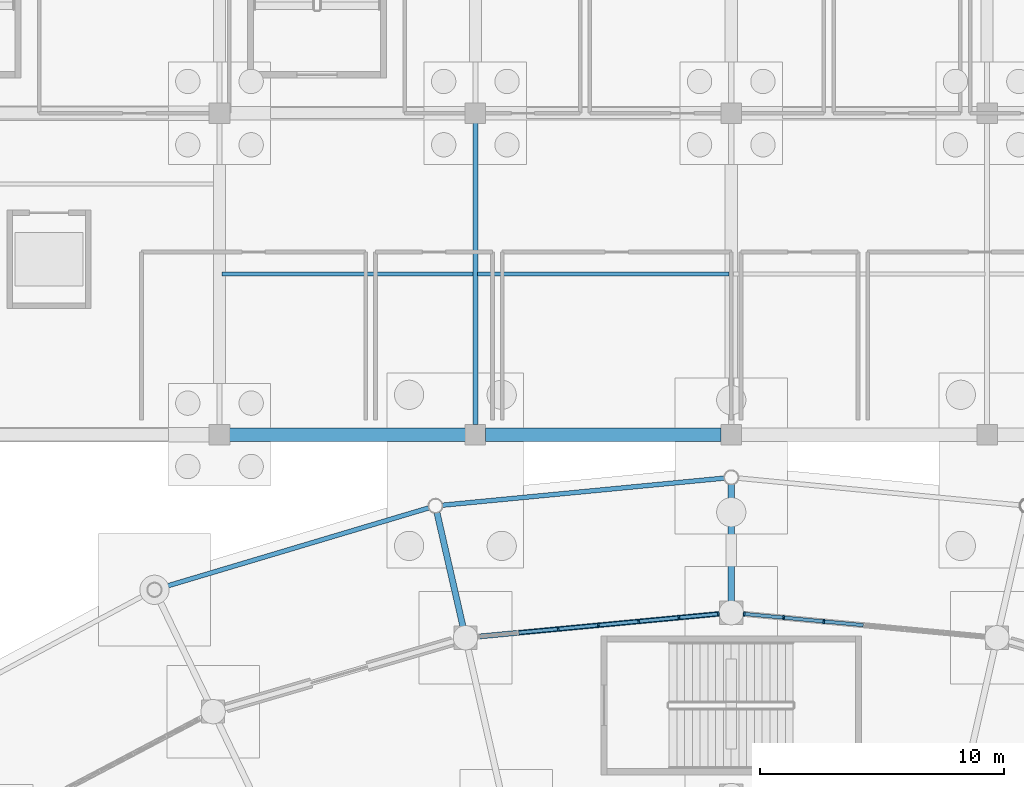
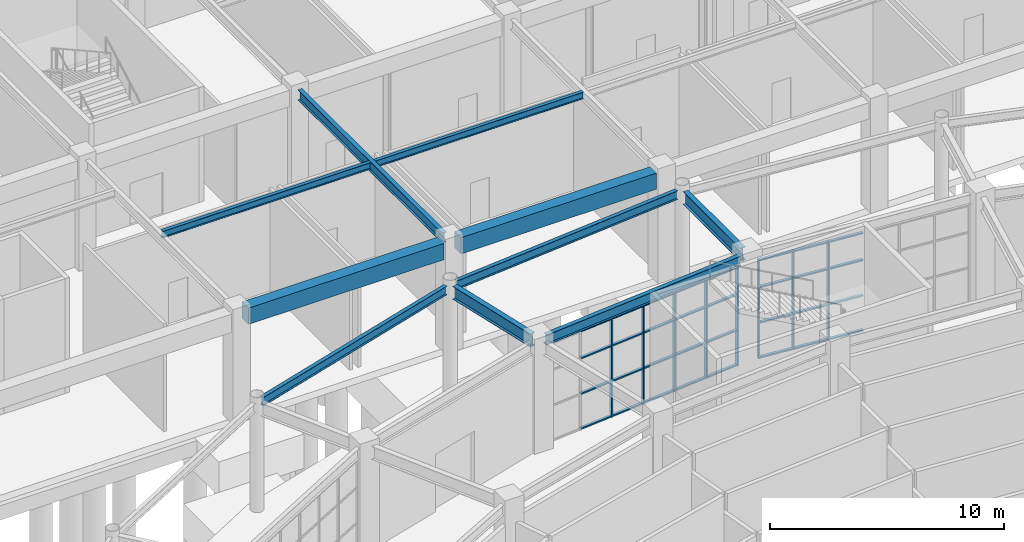
# One storey, part 48 of 121: 40 members, 10 beams, 2 elements without a shape of their own.
"""IFC4 building model written with IfcOpenShell, lengths in metres."""

from ifc_helpers import new_model, si_unit, direction, frame, origin, origin_2d, place, context, subcontext, project, spatial, rectangle, i_section, extrude, material, material_profile, profile_set, type_object, element, aggregate, save


model = new_model("IFC4")

# Units and contexts
model_context = context("Model", 3, precision=1e-05, world=origin(), true_north=direction((0.0, 1.0)))
body_context = subcontext(model_context, "Body", "Model", "MODEL_VIEW")
ifc_project = project(units=[si_unit("LENGTHUNIT", "METRE"), si_unit("AREAUNIT", "SQUARE_METRE"), si_unit("VOLUMEUNIT", "CUBIC_METRE"), si_unit("PLANEANGLEUNIT", "RADIAN"), si_unit("MASSUNIT", "GRAM", prefix="KILO")], contexts=[model_context])

# Site, building, storey
site_placement = place(None, origin())
site = spatial("IfcSite", under=ifc_project, at=site_placement, CompositionType="ELEMENT")
building_placement = place(site_placement, origin())
building = spatial("IfcBuilding", under=site, at=building_placement, Name="Cuetzalor Civic Arena", CompositionType="ELEMENT")
storey_placement = place(building_placement, origin())
storey = spatial("IfcBuildingStorey", under=building, at=storey_placement, Name="L00", CompositionType="ELEMENT", Elevation=0.0)

# Beams
ifc_material_1 = material(Name="Concrete C40/50", Category="concrete")
ifc_material_profile_1 = material_profile(ifc_material_1, rectangle(XDim=0.550048828125, YDim=0.85009765625, at=origin_2d()), Name="RC 550x850")
ifc_profile_set_1 = profile_set([ifc_material_profile_1], Name="Concrete C40/50")
beam_type_1 = type_object("IfcBeamType", Name="ConcreteFrameBeam_550x850", PredefinedType="BEAM", material=ifc_profile_set_1)
for number, where, z_axis, x_axis, name in (
    (1, (-20.5849609375, 48.300048828125, 5.27490234375), (1.0, 0.0, 0.0), (0.0, 1.0, 0.0), "Frame Girder V5-L00-X0224"),
    (2, (-10.0849609375, 48.300048828125, 5.27490234375), (1.0, 0.0, 0.0), (0.0, 1.0, 0.0), "Frame Girder V5-L00-X0225"),
):
    element("IfcBeam", number, at=place(storey_placement, frame(where, z_axis=z_axis, x_axis=x_axis)), inside=storey, type_object=beam_type_1, Name=name, PredefinedType="BEAM", context=body_context, shape_type="SweptSolid", body=[
        extrude(rectangle(XDim=0.550048828125, YDim=0.85009765625, at=origin_2d()), origin(), (0.0, 0.0, 1.0), 9.669921875),
    ])

# Curtain wall, members
ifc_material_2 = material(Name="Anodised dark bronze aluminium and low-E solar glass", Category="aluminium")
curtain_wall_type = type_object("IfcCurtainWallType", Name="UnitisedCW_9950x5150", PredefinedType="USERDEFINED", material=ifc_material_2)
curtain_wall_1_placement = place(storey_placement, origin())
curtain_wall_1 = element("IfcCurtainWall", 3, at=curtain_wall_1_placement, inside=storey, type_object=curtain_wall_type, Name="Drum Ground Recessed Concourse Curtain Wall L00-005", ObjectType="UNITISED CURTAIN WALL", PredefinedType="USERDEFINED")
ifc_material_3 = material(Name="Anodised dark bronze aluminium", Category="aluminium")
ifc_material_profile_2 = material_profile(ifc_material_3, rectangle(XDim=0.070068359375, YDim=0.179931640625, at=origin_2d()), Name="ALU MULLION 70x180")
ifc_profile_set_2 = profile_set([ifc_material_profile_2], Name="Anodised dark bronze aluminium")
member_type_1 = type_object("IfcMemberType", Name="CurtainWallMullion_65x180", PredefinedType="MULLION", material=ifc_profile_set_2)
member_1_placement = place(storey_placement, frame((0.5322265625, 40.94970703125, 0.0), z_axis=(0.0, 0.0, 1.0), x_axis=(0.995585155665, -0.093862654023, 0.0)))
member_1 = element("IfcMember", 4, at=member_1_placement, type_object=member_type_1, Name="CW-05 mullion 1", PredefinedType="MULLION", context=body_context, shape_type="SweptSolid", body=[
    extrude(rectangle(XDim=0.070068359375, YDim=0.179931640625, at=origin_2d()), origin(), (0.0, 0.0, 1.0), 5.156982421875),
])
member_2_placement = place(storey_placement, frame((2.148681640625, 40.79736328125, 0.0), z_axis=(0.0, 0.0, 1.0), x_axis=(0.995585155665, -0.093862654023, 0.0)))
member_2 = element("IfcMember", 5, at=member_2_placement, type_object=member_type_1, Name="CW-05 mullion 2", PredefinedType="MULLION", context=body_context, shape_type="SweptSolid", body=[
    extrude(rectangle(XDim=0.070068359375, YDim=0.179931640625, at=origin_2d()), origin(), (0.0, 0.0, 1.0), 5.156982421875),
])
member_3_placement = place(storey_placement, frame((3.80029296875, 40.6416015625, 0.0), z_axis=(0.0, 0.0, 1.0), x_axis=(0.995585155665, -0.093862654023, 0.0)))
member_3 = element("IfcMember", 6, at=member_3_placement, type_object=member_type_1, Name="CW-05 mullion 3", PredefinedType="MULLION", context=body_context, shape_type="SweptSolid", body=[
    extrude(rectangle(XDim=0.070068359375, YDim=0.179931640625, at=origin_2d()), origin(), (0.0, 0.0, 1.0), 5.156982421875),
])

curtain_wall_2_placement = place(storey_placement, origin())
curtain_wall_2 = element("IfcCurtainWall", 7, at=curtain_wall_2_placement, inside=storey, type_object=curtain_wall_type, Name="Drum Ground Recessed Concourse Curtain Wall L00-006", ObjectType="UNITISED CURTAIN WALL", PredefinedType="USERDEFINED")
member_4_placement = place(storey_placement, frame((-7.103271484375, 40.330322265625, 0.0), z_axis=(0.0, 0.0, 1.0), x_axis=(0.995585155665, 0.093862654023, 0.0)))
member_4 = element("IfcMember", 8, at=member_4_placement, type_object=member_type_1, Name="CW-05 mullion 3", PredefinedType="MULLION", context=body_context, shape_type="SweptSolid", body=[
    extrude(rectangle(XDim=0.070068359375, YDim=0.179931640625, at=origin_2d()), origin(), (0.0, 0.0, 1.0), 5.156982421875),
])
member_5_placement = place(storey_placement, frame((-5.45166015625, 40.486083984375, 0.0), z_axis=(0.0, 0.0, 1.0), x_axis=(0.995585155665, 0.093862654023, 0.0)))
member_5 = element("IfcMember", 9, at=member_5_placement, type_object=member_type_1, Name="CW-05 mullion 4", PredefinedType="MULLION", context=body_context, shape_type="SweptSolid", body=[
    extrude(rectangle(XDim=0.070068359375, YDim=0.179931640625, at=origin_2d()), origin(), (0.0, 0.0, 1.0), 5.156982421875),
])
member_6_placement = place(storey_placement, frame((-3.80029296875, 40.6416015625, 0.0), z_axis=(0.0, 0.0, 1.0), x_axis=(0.995585155665, 0.093862654023, 0.0)))
member_6 = element("IfcMember", 10, at=member_6_placement, type_object=member_type_1, Name="CW-05 mullion 5", PredefinedType="MULLION", context=body_context, shape_type="SweptSolid", body=[
    extrude(rectangle(XDim=0.070068359375, YDim=0.179931640625, at=origin_2d()), origin(), (0.0, 0.0, 1.0), 5.156982421875),
])
member_7_placement = place(storey_placement, frame((-2.148681640625, 40.79736328125, 0.0), z_axis=(0.0, 0.0, 1.0), x_axis=(0.995585155665, 0.093862654023, 0.0)))
member_7 = element("IfcMember", 11, at=member_7_placement, type_object=member_type_1, Name="CW-05 mullion 6", PredefinedType="MULLION", context=body_context, shape_type="SweptSolid", body=[
    extrude(rectangle(XDim=0.070068359375, YDim=0.179931640625, at=origin_2d()), origin(), (0.0, 0.0, 1.0), 5.156982421875),
])
member_8_placement = place(storey_placement, frame((-0.5322265625, 40.94970703125, 0.0), z_axis=(0.0, 0.0, 1.0), x_axis=(0.995585155665, 0.093862654023, 0.0)))
member_8 = element("IfcMember", 12, at=member_8_placement, type_object=member_type_1, Name="CW-05 mullion 7", PredefinedType="MULLION", context=body_context, shape_type="SweptSolid", body=[
    extrude(rectangle(XDim=0.070068359375, YDim=0.179931640625, at=origin_2d()), origin(), (0.0, 0.0, 1.0), 5.156982421875),
])

# Member
ifc_material_4 = material(Name="Anodised dark bronze aluminium", Category="aluminium")
ifc_material_profile_3 = material_profile(ifc_material_4, rectangle(XDim=0.139892578125, YDim=0.070068359375, at=origin_2d()), Name="ALU TRANSOM 70x140")
ifc_profile_set_3 = profile_set([ifc_material_profile_3], Name="Anodised dark bronze aluminium")
member_type_2 = type_object("IfcMemberType", Name="CurtainWallTransom_65x140", PredefinedType="USERDEFINED", material=ifc_profile_set_3)
member_9_placement = place(storey_placement, frame((0.56689453125, 40.946533203125, 0.034912109375), z_axis=(0.995591690404, -0.093793315318, 0.0), x_axis=(0.093793315318, 0.995591690404, 0.0)))
member_9 = element("IfcMember", 13, at=member_9_placement, type_object=member_type_2, Name="CW-05 transom 1.1", ObjectType="TRANSOM", PredefinedType="USERDEFINED", context=body_context, shape_type="SweptSolid", body=[
    extrude(rectangle(XDim=0.139892578125, YDim=0.070068359375, at=origin_2d()), origin(), (0.0, 0.0, 1.0), 1.553955078125),
])

member_10_placement = place(storey_placement, frame((0.56689453125, 40.946533203125, 1.85693359375), z_axis=(0.995591690404, -0.093793315318, 0.0), x_axis=(0.093793315318, 0.995591690404, 0.0)))
member_10 = element("IfcMember", 14, at=member_10_placement, type_object=member_type_2, Name="CW-05 transom 1.2", ObjectType="TRANSOM", PredefinedType="USERDEFINED", context=body_context, shape_type="SweptSolid", body=[
    extrude(rectangle(XDim=0.139892578125, YDim=0.070068359375, at=origin_2d()), origin(), (0.0, 0.0, 1.0), 1.553955078125),
])

member_11_placement = place(storey_placement, frame((0.56689453125, 40.946533203125, 3.712890625), z_axis=(0.995591690404, -0.093793315318, 0.0), x_axis=(0.093793315318, 0.995591690404, 0.0)))
member_11 = element("IfcMember", 15, at=member_11_placement, type_object=member_type_2, Name="CW-05 transom 1.3", ObjectType="TRANSOM", PredefinedType="USERDEFINED", context=body_context, shape_type="SweptSolid", body=[
    extrude(rectangle(XDim=0.139892578125, YDim=0.070068359375, at=origin_2d()), origin(), (0.0, 0.0, 1.0), 1.553955078125),
])

member_12_placement = place(storey_placement, frame((0.56689453125, 40.946533203125, 5.1220703125), z_axis=(0.995591690404, -0.093793315318, 0.0), x_axis=(0.093793315318, 0.995591690404, 0.0)))
member_12 = element("IfcMember", 16, at=member_12_placement, type_object=member_type_2, Name="CW-05 transom 1.4", ObjectType="TRANSOM", PredefinedType="USERDEFINED", context=body_context, shape_type="SweptSolid", body=[
    extrude(rectangle(XDim=0.139892578125, YDim=0.070068359375, at=origin_2d()), origin(), (0.0, 0.0, 1.0), 1.553955078125),
])

member_13_placement = place(storey_placement, frame((2.18359375, 40.794189453125, 0.034912109375), z_axis=(0.995582755392, -0.093888109823, 0.0), x_axis=(0.093888109823, 0.995582755392, 0.0)))
member_13 = element("IfcMember", 17, at=member_13_placement, type_object=member_type_2, Name="CW-05 transom 2.1", ObjectType="TRANSOM", PredefinedType="USERDEFINED", context=body_context, shape_type="SweptSolid", body=[
    extrude(rectangle(XDim=0.139892578125, YDim=0.070068359375, at=origin_2d()), origin(), (0.0, 0.0, 1.0), 1.5888671875),
])

member_14_placement = place(storey_placement, frame((2.18359375, 40.794189453125, 1.85693359375), z_axis=(0.995582755392, -0.093888109823, 0.0), x_axis=(0.093888109823, 0.995582755392, 0.0)))
member_14 = element("IfcMember", 18, at=member_14_placement, type_object=member_type_2, Name="CW-05 transom 2.2", ObjectType="TRANSOM", PredefinedType="USERDEFINED", context=body_context, shape_type="SweptSolid", body=[
    extrude(rectangle(XDim=0.139892578125, YDim=0.070068359375, at=origin_2d()), origin(), (0.0, 0.0, 1.0), 1.5888671875),
])

member_15_placement = place(storey_placement, frame((2.18359375, 40.794189453125, 3.712890625), z_axis=(0.995582755392, -0.093888109823, 0.0), x_axis=(0.093888109823, 0.995582755392, 0.0)))
member_15 = element("IfcMember", 19, at=member_15_placement, type_object=member_type_2, Name="CW-05 transom 2.3", ObjectType="TRANSOM", PredefinedType="USERDEFINED", context=body_context, shape_type="SweptSolid", body=[
    extrude(rectangle(XDim=0.139892578125, YDim=0.070068359375, at=origin_2d()), origin(), (0.0, 0.0, 1.0), 1.5888671875),
])

member_16_placement = place(storey_placement, frame((2.18359375, 40.794189453125, 5.1220703125), z_axis=(0.995582755392, -0.093888109823, 0.0), x_axis=(0.093888109823, 0.995582755392, 0.0)))
member_16 = element("IfcMember", 20, at=member_16_placement, type_object=member_type_2, Name="CW-05 transom 2.4", ObjectType="TRANSOM", PredefinedType="USERDEFINED", context=body_context, shape_type="SweptSolid", body=[
    extrude(rectangle(XDim=0.139892578125, YDim=0.070068359375, at=origin_2d()), origin(), (0.0, 0.0, 1.0), 1.5888671875),
])

member_17_placement = place(storey_placement, frame((3.835205078125, 40.638427734375, 0.034912109375), z_axis=(0.995582755392, -0.093888109823, 0.0), x_axis=(0.093888109823, 0.995582755392, 0.0)))
member_17 = element("IfcMember", 21, at=member_17_placement, type_object=member_type_2, Name="CW-05 transom 3.1", ObjectType="TRANSOM", PredefinedType="USERDEFINED", context=body_context, shape_type="SweptSolid", body=[
    extrude(rectangle(XDim=0.139892578125, YDim=0.070068359375, at=origin_2d()), origin(), (0.0, 0.0, 1.0), 1.5888671875),
])

member_18_placement = place(storey_placement, frame((3.835205078125, 40.638427734375, 1.85693359375), z_axis=(0.995582755392, -0.093888109823, 0.0), x_axis=(0.093888109823, 0.995582755392, 0.0)))
member_18 = element("IfcMember", 22, at=member_18_placement, type_object=member_type_2, Name="CW-05 transom 3.2", ObjectType="TRANSOM", PredefinedType="USERDEFINED", context=body_context, shape_type="SweptSolid", body=[
    extrude(rectangle(XDim=0.139892578125, YDim=0.070068359375, at=origin_2d()), origin(), (0.0, 0.0, 1.0), 1.5888671875),
])

member_19_placement = place(storey_placement, frame((3.835205078125, 40.638427734375, 3.712890625), z_axis=(0.995582755392, -0.093888109823, 0.0), x_axis=(0.093888109823, 0.995582755392, 0.0)))
member_19 = element("IfcMember", 23, at=member_19_placement, type_object=member_type_2, Name="CW-05 transom 3.3", ObjectType="TRANSOM", PredefinedType="USERDEFINED", context=body_context, shape_type="SweptSolid", body=[
    extrude(rectangle(XDim=0.139892578125, YDim=0.070068359375, at=origin_2d()), origin(), (0.0, 0.0, 1.0), 1.5888671875),
])

member_20_placement = place(storey_placement, frame((3.835205078125, 40.638427734375, 5.1220703125), z_axis=(0.995582755392, -0.093888109823, 0.0), x_axis=(0.093888109823, 0.995582755392, 0.0)))
member_20 = element("IfcMember", 24, at=member_20_placement, type_object=member_type_2, Name="CW-05 transom 3.4", ObjectType="TRANSOM", PredefinedType="USERDEFINED", context=body_context, shape_type="SweptSolid", body=[
    extrude(rectangle(XDim=0.139892578125, YDim=0.070068359375, at=origin_2d()), origin(), (0.0, 0.0, 1.0), 1.5888671875),
])

aggregate(curtain_wall_1, [member_1, member_2, member_3, member_9, member_10, member_11, member_12, member_13, member_14, member_15, member_16, member_17, member_18, member_19, member_20])

member_21_placement = place(storey_placement, frame((-8.719970703125, 40.177978515625, 0.034912109375), z_axis=(0.995597107351, 0.093735798037, 0.0), x_axis=(-0.093735798037, 0.995597107351, 0.0)))
member_21 = element("IfcMember", 25, at=member_21_placement, type_object=member_type_2, Name="CW-05 transom 2.1", ObjectType="TRANSOM", PredefinedType="USERDEFINED", context=body_context, shape_type="SweptSolid", body=[
    extrude(rectangle(XDim=0.139892578125, YDim=0.070068359375, at=origin_2d()), origin(), (0.0, 0.0, 1.0), 1.5888671875),
])

member_22_placement = place(storey_placement, frame((-8.719970703125, 40.177978515625, 1.85693359375), z_axis=(0.995597107351, 0.093735798037, 0.0), x_axis=(-0.093735798037, 0.995597107351, 0.0)))
member_22 = element("IfcMember", 26, at=member_22_placement, type_object=member_type_2, Name="CW-05 transom 2.2", ObjectType="TRANSOM", PredefinedType="USERDEFINED", context=body_context, shape_type="SweptSolid", body=[
    extrude(rectangle(XDim=0.139892578125, YDim=0.070068359375, at=origin_2d()), origin(), (0.0, 0.0, 1.0), 1.5888671875),
])

member_23_placement = place(storey_placement, frame((-8.719970703125, 40.177978515625, 3.712890625), z_axis=(0.995597107351, 0.093735798037, 0.0), x_axis=(-0.093735798037, 0.995597107351, 0.0)))
member_23 = element("IfcMember", 27, at=member_23_placement, type_object=member_type_2, Name="CW-05 transom 2.3", ObjectType="TRANSOM", PredefinedType="USERDEFINED", context=body_context, shape_type="SweptSolid", body=[
    extrude(rectangle(XDim=0.139892578125, YDim=0.070068359375, at=origin_2d()), origin(), (0.0, 0.0, 1.0), 1.5888671875),
])

member_24_placement = place(storey_placement, frame((-8.719970703125, 40.177978515625, 5.1220703125), z_axis=(0.995597107351, 0.093735798037, 0.0), x_axis=(-0.093735798037, 0.995597107351, 0.0)))
member_24 = element("IfcMember", 28, at=member_24_placement, type_object=member_type_2, Name="CW-05 transom 2.4", ObjectType="TRANSOM", PredefinedType="USERDEFINED", context=body_context, shape_type="SweptSolid", body=[
    extrude(rectangle(XDim=0.139892578125, YDim=0.070068359375, at=origin_2d()), origin(), (0.0, 0.0, 1.0), 1.5888671875),
])

member_25_placement = place(storey_placement, frame((-7.068359375, 40.33349609375, 0.034912109375), z_axis=(0.995582755392, 0.093888109823, 0.0), x_axis=(-0.093888109823, 0.995582755392, 0.0)))
member_25 = element("IfcMember", 29, at=member_25_placement, type_object=member_type_2, Name="CW-05 transom 3.1", ObjectType="TRANSOM", PredefinedType="USERDEFINED", context=body_context, shape_type="SweptSolid", body=[
    extrude(rectangle(XDim=0.139892578125, YDim=0.070068359375, at=origin_2d()), origin(), (0.0, 0.0, 1.0), 1.5888671875),
])

member_26_placement = place(storey_placement, frame((-7.068359375, 40.33349609375, 1.85693359375), z_axis=(0.995582755392, 0.093888109823, 0.0), x_axis=(-0.093888109823, 0.995582755392, 0.0)))
member_26 = element("IfcMember", 30, at=member_26_placement, type_object=member_type_2, Name="CW-05 transom 3.2", ObjectType="TRANSOM", PredefinedType="USERDEFINED", context=body_context, shape_type="SweptSolid", body=[
    extrude(rectangle(XDim=0.139892578125, YDim=0.070068359375, at=origin_2d()), origin(), (0.0, 0.0, 1.0), 1.5888671875),
])

member_27_placement = place(storey_placement, frame((-7.068359375, 40.33349609375, 3.712890625), z_axis=(0.995582755392, 0.093888109823, 0.0), x_axis=(-0.093888109823, 0.995582755392, 0.0)))
member_27 = element("IfcMember", 31, at=member_27_placement, type_object=member_type_2, Name="CW-05 transom 3.3", ObjectType="TRANSOM", PredefinedType="USERDEFINED", context=body_context, shape_type="SweptSolid", body=[
    extrude(rectangle(XDim=0.139892578125, YDim=0.070068359375, at=origin_2d()), origin(), (0.0, 0.0, 1.0), 1.5888671875),
])

member_28_placement = place(storey_placement, frame((-7.068359375, 40.33349609375, 5.1220703125), z_axis=(0.995582755392, 0.093888109823, 0.0), x_axis=(-0.093888109823, 0.995582755392, 0.0)))
member_28 = element("IfcMember", 32, at=member_28_placement, type_object=member_type_2, Name="CW-05 transom 3.4", ObjectType="TRANSOM", PredefinedType="USERDEFINED", context=body_context, shape_type="SweptSolid", body=[
    extrude(rectangle(XDim=0.139892578125, YDim=0.070068359375, at=origin_2d()), origin(), (0.0, 0.0, 1.0), 1.5888671875),
])

member_29_placement = place(storey_placement, frame((-5.4169921875, 40.4892578125, 0.034912109375), z_axis=(0.995582755392, 0.093888109823, 0.0), x_axis=(-0.093888109823, 0.995582755392, 0.0)))
member_29 = element("IfcMember", 33, at=member_29_placement, type_object=member_type_2, Name="CW-05 transom 4.1", ObjectType="TRANSOM", PredefinedType="USERDEFINED", context=body_context, shape_type="SweptSolid", body=[
    extrude(rectangle(XDim=0.139892578125, YDim=0.070068359375, at=origin_2d()), origin(), (0.0, 0.0, 1.0), 1.5888671875),
])

member_30_placement = place(storey_placement, frame((-5.4169921875, 40.4892578125, 1.85693359375), z_axis=(0.995582755392, 0.093888109823, 0.0), x_axis=(-0.093888109823, 0.995582755392, 0.0)))
member_30 = element("IfcMember", 34, at=member_30_placement, type_object=member_type_2, Name="CW-05 transom 4.2", ObjectType="TRANSOM", PredefinedType="USERDEFINED", context=body_context, shape_type="SweptSolid", body=[
    extrude(rectangle(XDim=0.139892578125, YDim=0.070068359375, at=origin_2d()), origin(), (0.0, 0.0, 1.0), 1.5888671875),
])

member_31_placement = place(storey_placement, frame((-5.4169921875, 40.4892578125, 3.712890625), z_axis=(0.995582755392, 0.093888109823, 0.0), x_axis=(-0.093888109823, 0.995582755392, 0.0)))
member_31 = element("IfcMember", 35, at=member_31_placement, type_object=member_type_2, Name="CW-05 transom 4.3", ObjectType="TRANSOM", PredefinedType="USERDEFINED", context=body_context, shape_type="SweptSolid", body=[
    extrude(rectangle(XDim=0.139892578125, YDim=0.070068359375, at=origin_2d()), origin(), (0.0, 0.0, 1.0), 1.5888671875),
])

member_32_placement = place(storey_placement, frame((-5.4169921875, 40.4892578125, 5.1220703125), z_axis=(0.995582755392, 0.093888109823, 0.0), x_axis=(-0.093888109823, 0.995582755392, 0.0)))
member_32 = element("IfcMember", 36, at=member_32_placement, type_object=member_type_2, Name="CW-05 transom 4.4", ObjectType="TRANSOM", PredefinedType="USERDEFINED", context=body_context, shape_type="SweptSolid", body=[
    extrude(rectangle(XDim=0.139892578125, YDim=0.070068359375, at=origin_2d()), origin(), (0.0, 0.0, 1.0), 1.5888671875),
])

member_33_placement = place(storey_placement, frame((-3.765380859375, 40.64501953125, 0.034912109375), z_axis=(0.995582755392, 0.093888109823, 0.0), x_axis=(-0.093888109823, 0.995582755392, 0.0)))
member_33 = element("IfcMember", 37, at=member_33_placement, type_object=member_type_2, Name="CW-05 transom 5.1", ObjectType="TRANSOM", PredefinedType="USERDEFINED", context=body_context, shape_type="SweptSolid", body=[
    extrude(rectangle(XDim=0.139892578125, YDim=0.070068359375, at=origin_2d()), origin(), (0.0, 0.0, 1.0), 1.5888671875),
])

member_34_placement = place(storey_placement, frame((-3.765380859375, 40.64501953125, 1.85693359375), z_axis=(0.995582755392, 0.093888109823, 0.0), x_axis=(-0.093888109823, 0.995582755392, 0.0)))
member_34 = element("IfcMember", 38, at=member_34_placement, type_object=member_type_2, Name="CW-05 transom 5.2", ObjectType="TRANSOM", PredefinedType="USERDEFINED", context=body_context, shape_type="SweptSolid", body=[
    extrude(rectangle(XDim=0.139892578125, YDim=0.070068359375, at=origin_2d()), origin(), (0.0, 0.0, 1.0), 1.5888671875),
])

member_35_placement = place(storey_placement, frame((-3.765380859375, 40.64501953125, 3.712890625), z_axis=(0.995582755392, 0.093888109823, 0.0), x_axis=(-0.093888109823, 0.995582755392, 0.0)))
member_35 = element("IfcMember", 39, at=member_35_placement, type_object=member_type_2, Name="CW-05 transom 5.3", ObjectType="TRANSOM", PredefinedType="USERDEFINED", context=body_context, shape_type="SweptSolid", body=[
    extrude(rectangle(XDim=0.139892578125, YDim=0.070068359375, at=origin_2d()), origin(), (0.0, 0.0, 1.0), 1.5888671875),
])

member_36_placement = place(storey_placement, frame((-3.765380859375, 40.64501953125, 5.1220703125), z_axis=(0.995582755392, 0.093888109823, 0.0), x_axis=(-0.093888109823, 0.995582755392, 0.0)))
member_36 = element("IfcMember", 40, at=member_36_placement, type_object=member_type_2, Name="CW-05 transom 5.4", ObjectType="TRANSOM", PredefinedType="USERDEFINED", context=body_context, shape_type="SweptSolid", body=[
    extrude(rectangle(XDim=0.139892578125, YDim=0.070068359375, at=origin_2d()), origin(), (0.0, 0.0, 1.0), 1.5888671875),
])

member_37_placement = place(storey_placement, frame((-2.114013671875, 40.80078125, 0.034912109375), z_axis=(0.995591690404, 0.093793315318, 0.0), x_axis=(-0.093793315318, 0.995591690404, 0.0)))
member_37 = element("IfcMember", 41, at=member_37_placement, type_object=member_type_2, Name="CW-05 transom 6.1", ObjectType="TRANSOM", PredefinedType="USERDEFINED", context=body_context, shape_type="SweptSolid", body=[
    extrude(rectangle(XDim=0.139892578125, YDim=0.070068359375, at=origin_2d()), origin(), (0.0, 0.0, 1.0), 1.553955078125),
])

member_38_placement = place(storey_placement, frame((-2.114013671875, 40.80078125, 1.85693359375), z_axis=(0.995591690404, 0.093793315318, 0.0), x_axis=(-0.093793315318, 0.995591690404, 0.0)))
member_38 = element("IfcMember", 42, at=member_38_placement, type_object=member_type_2, Name="CW-05 transom 6.2", ObjectType="TRANSOM", PredefinedType="USERDEFINED", context=body_context, shape_type="SweptSolid", body=[
    extrude(rectangle(XDim=0.139892578125, YDim=0.070068359375, at=origin_2d()), origin(), (0.0, 0.0, 1.0), 1.553955078125),
])

member_39_placement = place(storey_placement, frame((-2.114013671875, 40.80078125, 3.712890625), z_axis=(0.995591690404, 0.093793315318, 0.0), x_axis=(-0.093793315318, 0.995591690404, 0.0)))
member_39 = element("IfcMember", 43, at=member_39_placement, type_object=member_type_2, Name="CW-05 transom 6.3", ObjectType="TRANSOM", PredefinedType="USERDEFINED", context=body_context, shape_type="SweptSolid", body=[
    extrude(rectangle(XDim=0.139892578125, YDim=0.070068359375, at=origin_2d()), origin(), (0.0, 0.0, 1.0), 1.553955078125),
])

member_40_placement = place(storey_placement, frame((-2.114013671875, 40.80078125, 5.1220703125), z_axis=(0.995591690404, 0.093793315318, 0.0), x_axis=(-0.093793315318, 0.995591690404, 0.0)))
member_40 = element("IfcMember", 44, at=member_40_placement, type_object=member_type_2, Name="CW-05 transom 6.4", ObjectType="TRANSOM", PredefinedType="USERDEFINED", context=body_context, shape_type="SweptSolid", body=[
    extrude(rectangle(XDim=0.139892578125, YDim=0.070068359375, at=origin_2d()), origin(), (0.0, 0.0, 1.0), 1.553955078125),
])

aggregate(curtain_wall_2, [member_4, member_5, member_6, member_7, member_8, member_21, member_22, member_23, member_24, member_25, member_26, member_27, member_28, member_29, member_30, member_31, member_32, member_33, member_34, member_35, member_36, member_37, member_38, member_39, member_40])

# Beams
ifc_material_5 = material(Name="Steel S355", Category="steel")
ifc_material_profile_4 = material_profile(ifc_material_5, i_section(OverallWidth=0.18994140625, OverallDepth=0.45703125, WebThickness=0.009033203125, FlangeThickness=0.014404296875, at=origin_2d()), Name="W460x74")
ifc_profile_set_4 = profile_set([ifc_material_profile_4], Name="Steel S355")
beam_type_2 = type_object("IfcBeamType", Name="FacadeSpandrelBeam_W460", PredefinedType="SPANDREL", material=ifc_profile_set_4)
beam_1_placement = place(storey_placement, frame((-0.288818359375, 46.522216796875, 5.471435546875), z_axis=(-0.995409568272, -0.095706799095, 0.0), x_axis=(0.095706799095, -0.995409568272, 0.0)))
element("IfcBeam", 45, at=beam_1_placement, inside=storey, type_object=beam_type_2, Name="Drum Perimeter Spandrel L00-S08", PredefinedType="SPANDREL", context=body_context, shape_type="SweptSolid", body=[
    extrude(i_section(OverallWidth=0.18994140625, OverallDepth=0.45703125, WebThickness=0.009033203125, FlangeThickness=0.014404296875, at=origin_2d()), origin(), (0.0, 0.0, 1.0), 11.6142578125),
])
beam_2_placement = place(storey_placement, frame((-12.41650390625, 45.2998046875, 5.471435546875), z_axis=(-0.958199215373, -0.28610184141, 0.0), x_axis=(0.28610184141, -0.958199215373, 0.0)))
element("IfcBeam", 46, at=beam_2_placement, inside=storey, type_object=beam_type_2, Name="Drum Perimeter Spandrel L00-S09", PredefinedType="SPANDREL", context=body_context, shape_type="SweptSolid", body=[
    extrude(i_section(OverallWidth=0.18994140625, OverallDepth=0.45703125, WebThickness=0.009033203125, FlangeThickness=0.014404296875, at=origin_2d()), origin(), (0.0, 0.0, 1.0), 11.45263671875),
])
ifc_material_6 = material(Name="Steel S355", Category="steel")
ifc_material_profile_5 = material_profile(ifc_material_6, i_section(OverallWidth=0.1708984375, OverallDepth=0.35498046875, WebThickness=0.007080078125, FlangeThickness=0.01171875, at=origin_2d()), Name="W360x51")
ifc_profile_set_5 = profile_set([ifc_material_profile_5], Name="Steel S355")
beam_type_3 = type_object("IfcBeamType", Name="SecondaryFloorJoist_W360", PredefinedType="JOIST", material=ifc_profile_set_5)
for number, where, z_axis, x_axis, name in (
    (47, (-20.903564453125, 54.89990234375, 5.5224609375), (1.0, 0.0, 0.0), (0.0, 1.0, 0.0), "Secondary Floor Joist V5-L00-0074"),
    (48, (-10.403564453125, 54.89990234375, 5.5224609375), (1.0, 0.0, 0.0), (0.0, 1.0, 0.0), "Secondary Floor Joist V5-L00-0075"),
):
    element("IfcBeam", number, at=place(storey_placement, frame(where, z_axis=z_axis, x_axis=x_axis)), inside=storey, type_object=beam_type_3, Name=name, PredefinedType="JOIST", context=body_context, shape_type="SweptSolid", body=[
        extrude(i_section(OverallWidth=0.1708984375, OverallDepth=0.35498046875, WebThickness=0.007080078125, FlangeThickness=0.01171875, at=origin_2d()), origin(), (0.0, 0.0, 1.0), 10.30712890625),
    ])
ifc_material_7 = material(Name="Steel S355", Category="steel")
ifc_material_profile_6 = material_profile(ifc_material_7, i_section(OverallWidth=0.208984375, OverallDepth=0.532958984375, WebThickness=0.01025390625, FlangeThickness=0.015625, at=origin_2d()), Name="W530x92")
ifc_profile_set_6 = profile_set([ifc_material_profile_6], Name="Steel S355")
beam_type_4 = type_object("IfcBeamType", Name="SteelCollarGirder_W530", PredefinedType="BEAM", material=ifc_profile_set_6)
beam_3_placement = place(storey_placement, frame((-0.368408203125, 40.96533203125, 5.43359375), z_axis=(-0.995583045118, -0.093885037538, 0.0), x_axis=(0.093885037538, -0.995583045118, 0.0)))
element("IfcBeam", 49, at=beam_3_placement, inside=storey, type_object=beam_type_4, Name="Drum Concourse Ring Girder L00-S08", PredefinedType="BEAM", context=body_context, shape_type="SweptSolid", body=[
    extrude(i_section(OverallWidth=0.208984375, OverallDepth=0.532958984375, WebThickness=0.01025390625, FlangeThickness=0.015625, at=origin_2d()), origin(), (0.0, 0.0, 1.0), 10.2119140625),
])
beam_4_placement = place(storey_placement, frame((-10.5, 48.715087890625, 5.43359375), z_axis=(0.0, 1.0, 0.0), x_axis=(-1.0, 0.0, 0.0)))
element("IfcBeam", 50, at=beam_4_placement, inside=storey, type_object=beam_type_4, Name="Frame Girder V5-L00-Y0267", PredefinedType="BEAM", context=body_context, shape_type="SweptSolid", body=[
    extrude(i_section(OverallWidth=0.208984375, OverallDepth=0.532958984375, WebThickness=0.01025390625, FlangeThickness=0.015625, at=origin_2d()), origin(), (0.0, 0.0, 1.0), 12.369873046875),
])
ifc_material_8 = material(Name="Steel S355", Category="steel")
ifc_material_profile_7 = material_profile(ifc_material_8, i_section(OverallWidth=0.2529296875, OverallDepth=0.677978515625, WebThickness=0.01171875, FlangeThickness=0.016357421875, at=origin_2d()), Name="W690x125")
ifc_profile_set_7 = profile_set([ifc_material_profile_7], Name="Steel S355")
beam_type_5 = type_object("IfcBeamType", Name="SteelPrimaryGirder_W690", PredefinedType="BEAM", material=ifc_profile_set_7)
for number, where, z_axis, x_axis, name in (
    (51, (0.0, 41.360107421875, 5.361083984375), (0.0, 1.0, 0.0), (-1.0, 0.0, 0.0), "Drum Radial Girder L00-R08"),
    (52, (-10.983642578125, 40.322998046875, 5.361083984375), (-0.222519036633, 0.974928345231, 0.0), (-0.974928345231, -0.222519036633, 0.0), "Drum Radial Girder L00-R09"),
):
    element("IfcBeam", number, at=place(storey_placement, frame(where, z_axis=z_axis, x_axis=x_axis)), inside=storey, type_object=beam_type_5, Name=name, PredefinedType="BEAM", context=body_context, shape_type="SweptSolid", body=[
        extrude(i_section(OverallWidth=0.2529296875, OverallDepth=0.677978515625, WebThickness=0.01171875, FlangeThickness=0.016357421875, at=origin_2d()), origin(), (0.0, 0.0, 1.0), 4.89990234375),
    ])

save(model, "model.ifc")
